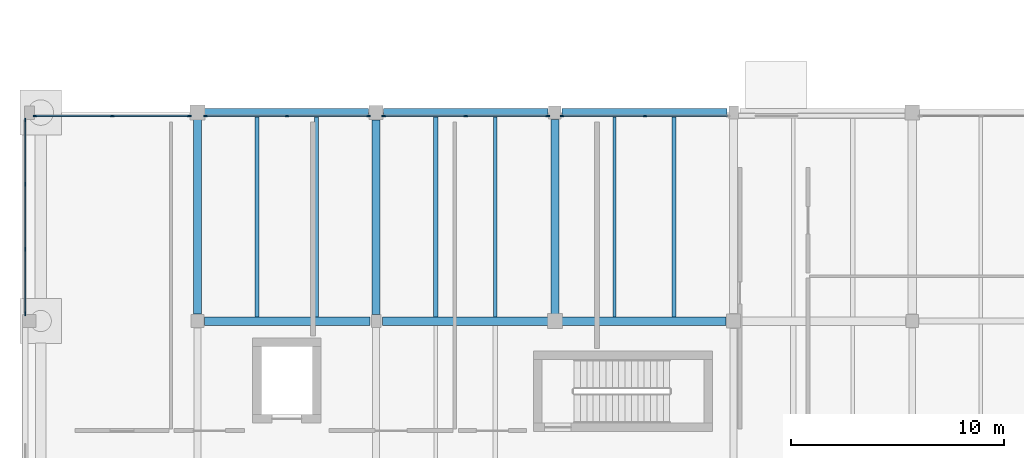
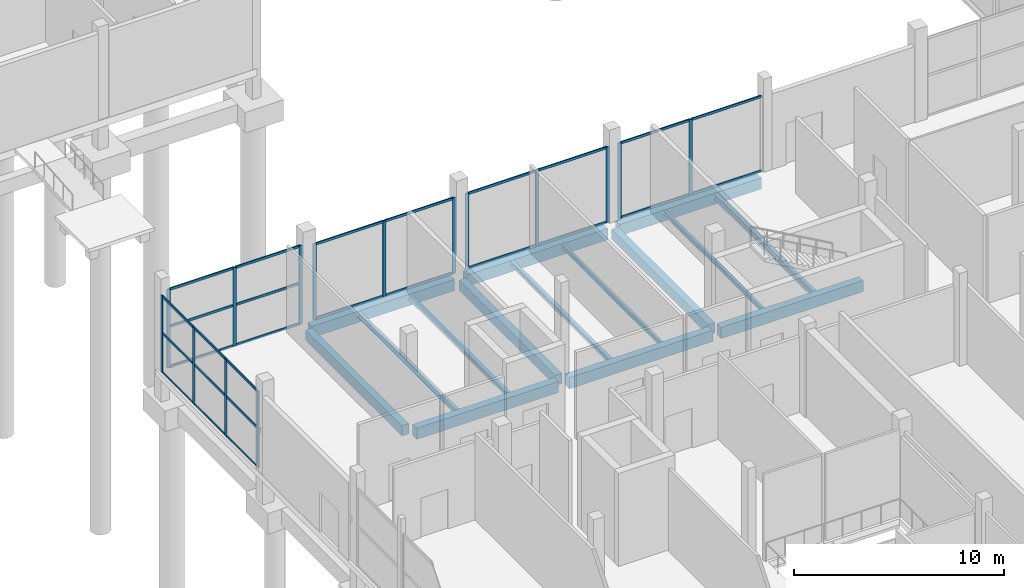
# One storey, part 21 of 88: 42 members, 15 beams, 5 elements without a shape of their own.
"""IFC4 building model written with IfcOpenShell, lengths in metres."""

from ifc_helpers import new_model, si_unit, direction, frame, origin, origin_2d, place, context, subcontext, project, spatial, rectangle, i_section, extrude, material, layer, layer_set, material_profile, profile_set, type_object, element, aggregate, save


model = new_model("IFC4")

# Units and contexts
model_context = context("Model", 3, precision=1e-05, world=origin(), true_north=direction((0.0, 1.0)))
body_context = subcontext(model_context, "Body", "Model", "MODEL_VIEW")
ifc_project = project(units=[si_unit("LENGTHUNIT", "METRE"), si_unit("AREAUNIT", "SQUARE_METRE"), si_unit("VOLUMEUNIT", "CUBIC_METRE"), si_unit("PLANEANGLEUNIT", "RADIAN"), si_unit("MASSUNIT", "GRAM", prefix="KILO")], contexts=[model_context])

# Site, building, storey
site_placement = place(None, origin())
site = spatial("IfcSite", under=ifc_project, at=site_placement, CompositionType="ELEMENT")
building_placement = place(site_placement, origin())
building = spatial("IfcBuilding", under=site, at=building_placement, Name="Birchvale Park Specialist Clinic", CompositionType="ELEMENT")
storey_placement = place(building_placement, origin())
storey = spatial("IfcBuildingStorey", under=building, at=storey_placement, Name="L00", CompositionType="ELEMENT", Elevation=0.0)

# Beams
ifc_material_1 = material(Name="Concrete C40/50", Category="concrete")
ifc_material_profile_1 = material_profile(ifc_material_1, rectangle(XDim=0.39990234375, YDim=0.64990234375, at=origin_2d()), Name="RCB-400x650")
ifc_profile_set_1 = profile_set([ifc_material_profile_1], Name="Concrete C40/50")
beam_type_1 = type_object("IfcBeamType", Name="BM-INT-BG4", PredefinedType="BEAM", material=ifc_profile_set_1)
beam_1_placement = place(storey_placement, frame((11.52490234375, 34.60009765625, -0.675048828125), z_axis=(1.0, 0.0, 0.0), x_axis=(0.0, 1.0, 0.0)))
element("IfcBeam", 1, at=beam_1_placement, inside=storey, type_object=beam_type_1, Name="V2 L00 X girder 16", PredefinedType="BEAM", context=body_context, shape_type="SweptSolid", body=[
    extrude(rectangle(XDim=0.39990234375, YDim=0.64990234375, at=origin_2d()), origin(), (0.0, 0.0, 1.0), 7.775146484375),
])
beam_2_placement = place(storey_placement, frame((19.89990234375, 34.60009765625, -0.675048828125), z_axis=(1.0, 0.0, 0.0), x_axis=(0.0, 1.0, 0.0)))
element("IfcBeam", 2, at=beam_2_placement, inside=storey, type_object=beam_type_1, Name="V2 L00 X girder 17", PredefinedType="BEAM", context=body_context, shape_type="SweptSolid", body=[
    extrude(rectangle(XDim=0.39990234375, YDim=0.64990234375, at=origin_2d()), origin(), (0.0, 0.0, 1.0), 7.875),
])
for number, where, z_axis, x_axis, name in (
    (3, (28.22509765625, 34.60009765625, -0.675048828125), (1.0, 0.0, 0.0), (0.0, 1.0, 0.0), "V2 L00 X girder 18"),
    (4, (11.425048828125, 44.39990234375, -0.675048828125), (1.0, 0.0, 0.0), (0.0, 1.0, 0.0), "V2 L00 X girder 21"),
):
    element("IfcBeam", number, at=place(storey_placement, frame(where, z_axis=z_axis, x_axis=x_axis)), inside=storey, type_object=beam_type_1, Name=name, PredefinedType="BEAM", context=body_context, shape_type="SweptSolid", body=[
        extrude(rectangle(XDim=0.39990234375, YDim=0.64990234375, at=origin_2d()), origin(), (0.0, 0.0, 1.0), 7.824951171875),
    ])
beam_3_placement = place(storey_placement, frame((19.949951171875, 44.39990234375, -0.675048828125), z_axis=(1.0, 0.0, 0.0), x_axis=(0.0, 1.0, 0.0)))
element("IfcBeam", 5, at=beam_3_placement, inside=storey, type_object=beam_type_1, Name="V2 L00 X girder 22", PredefinedType="BEAM", context=body_context, shape_type="SweptSolid", body=[
    extrude(rectangle(XDim=0.39990234375, YDim=0.64990234375, at=origin_2d()), origin(), (0.0, 0.0, 1.0), 7.72509765625),
])
beam_4_placement = place(storey_placement, frame((28.324951171875, 44.39990234375, -0.675048828125), z_axis=(1.0, 0.0, 0.0), x_axis=(0.0, 1.0, 0.0)))
element("IfcBeam", 6, at=beam_4_placement, inside=storey, type_object=beam_type_1, Name="V2 L00 X girder 23", PredefinedType="BEAM", context=body_context, shape_type="SweptSolid", body=[
    extrude(rectangle(XDim=0.39990234375, YDim=0.64990234375, at=origin_2d()), origin(), (0.0, 0.0, 1.0), 7.775146484375),
])
ifc_material_profile_2 = material_profile(ifc_material_1, rectangle(XDim=0.3798828125, YDim=0.60009765625, at=origin_2d()), Name="RCB-380x600")
ifc_profile_set_2 = profile_set([ifc_material_profile_2], Name="Concrete C40/50")
beam_type_2 = type_object("IfcBeamType", Name="BM-INT-BG5", PredefinedType="BEAM", material=ifc_profile_set_2)
beam_5_placement = place(storey_placement, frame((11.199951171875, 34.925048828125, -0.64990234375), z_axis=(0.0, 1.0, 0.0), x_axis=(-1.0, 0.0, 0.0)))
element("IfcBeam", 7, at=beam_5_placement, inside=storey, type_object=beam_type_2, Name="V2 L00 Y girder 29", PredefinedType="BEAM", context=body_context, shape_type="SweptSolid", body=[
    extrude(rectangle(XDim=0.3798828125, YDim=0.60009765625, at=origin_2d()), origin(), (0.0, 0.0, 1.0), 9.175048828125),
])
beam_6_placement = place(storey_placement, frame((19.60009765625, 34.89990234375, -0.64990234375), z_axis=(0.0, 1.0, 0.0), x_axis=(-1.0, 0.0, 0.0)))
element("IfcBeam", 8, at=beam_6_placement, inside=storey, type_object=beam_type_2, Name="V2 L00 Y girder 33", PredefinedType="BEAM", context=body_context, shape_type="SweptSolid", body=[
    extrude(rectangle(XDim=0.3798828125, YDim=0.60009765625, at=origin_2d()), origin(), (0.0, 0.0, 1.0), 9.150146484375),
])
beam_7_placement = place(storey_placement, frame((28.0, 34.89990234375, -0.64990234375), z_axis=(0.0, 1.0, 0.0), x_axis=(-1.0, 0.0, 0.0)))
element("IfcBeam", 9, at=beam_7_placement, inside=storey, type_object=beam_type_2, Name="V2 L00 Y girder 36", PredefinedType="BEAM", context=body_context, shape_type="SweptSolid", body=[
    extrude(rectangle(XDim=0.3798828125, YDim=0.60009765625, at=origin_2d()), origin(), (0.0, 0.0, 1.0), 9.175048828125),
])

# Curtain wall, members
ifc_material_2 = material(Name="Thermally broken anodised aluminium", Category="aluminium")
ifc_layer = layer(ifc_material_2, 0.195068359375)
ifc_layer_set = layer_set([ifc_layer], Name="Thermally broken anodised aluminium")
curtain_wall_type = type_object("IfcCurtainWallType", Name="CW-U2", PredefinedType="USERDEFINED", material=ifc_layer_set)
curtain_wall_1_placement = place(storey_placement, origin())
curtain_wall_1 = element("IfcCurtainWall", 10, at=curtain_wall_1_placement, inside=storey, type_object=curtain_wall_type, Name="V2 L00 glazed curtain wall 15", ObjectType="UNITISED", PredefinedType="USERDEFINED")
ifc_material_profile_3 = material_profile(ifc_material_2, rectangle(XDim=0.06494140625, YDim=0.179931640625, at=origin_2d()), Name="CWM-65x180")
ifc_profile_set_3 = profile_set([ifc_material_profile_3], Name="Thermally broken anodised aluminium")
member_type_1 = type_object("IfcMemberType", Name="CWM2", PredefinedType="MULLION", material=ifc_profile_set_3)
member_1_placement = place(storey_placement, frame((32.237548828125, 44.2451171875, 0.0), z_axis=(0.0, 0.0, 1.0), x_axis=(0.0, -1.0, 0.0)))
member_1 = element("IfcMember", 11, at=member_1_placement, type_object=member_type_1, Name="CW mullion 2", PredefinedType="MULLION", context=body_context, shape_type="SweptSolid", body=[
    extrude(rectangle(XDim=0.06494140625, YDim=0.179931640625, at=origin_2d()), origin(), (0.0, 0.0, 1.0), 4.385009765625),
])
member_2_placement = place(storey_placement, frame((28.33251953125, 44.2451171875, 0.0), z_axis=(0.0, 0.0, 1.0), x_axis=(0.0, -1.0, 0.0)))
member_2 = element("IfcMember", 12, at=member_2_placement, type_object=member_type_1, Name="CW mullion 3", PredefinedType="MULLION", context=body_context, shape_type="SweptSolid", body=[
    extrude(rectangle(XDim=0.06494140625, YDim=0.179931640625, at=origin_2d()), origin(), (0.0, 0.0, 1.0), 4.385009765625),
])

curtain_wall_2_placement = place(storey_placement, origin())
curtain_wall_2 = element("IfcCurtainWall", 13, at=curtain_wall_2_placement, inside=storey, type_object=curtain_wall_type, Name="V2 L00 glazed curtain wall 16", ObjectType="UNITISED", PredefinedType="USERDEFINED")
member_3_placement = place(storey_placement, frame((27.66748046875, 44.2451171875, 0.0), z_axis=(0.0, 0.0, 1.0), x_axis=(0.0, -1.0, 0.0)))
member_3 = element("IfcMember", 14, at=member_3_placement, type_object=member_type_1, Name="CW mullion 1", PredefinedType="MULLION", context=body_context, shape_type="SweptSolid", body=[
    extrude(rectangle(XDim=0.06494140625, YDim=0.179931640625, at=origin_2d()), origin(), (0.0, 0.0, 1.0), 4.385009765625),
])
member_4_placement = place(storey_placement, frame((23.8125, 44.2451171875, 0.0), z_axis=(0.0, 0.0, 1.0), x_axis=(0.0, -1.0, 0.0)))
member_4 = element("IfcMember", 15, at=member_4_placement, type_object=member_type_1, Name="CW mullion 2", PredefinedType="MULLION", context=body_context, shape_type="SweptSolid", body=[
    extrude(rectangle(XDim=0.06494140625, YDim=0.179931640625, at=origin_2d()), origin(), (0.0, 0.0, 1.0), 4.385009765625),
])
member_5_placement = place(storey_placement, frame((19.95751953125, 44.2451171875, 0.0), z_axis=(0.0, 0.0, 1.0), x_axis=(0.0, -1.0, 0.0)))
member_5 = element("IfcMember", 16, at=member_5_placement, type_object=member_type_1, Name="CW mullion 3", PredefinedType="MULLION", context=body_context, shape_type="SweptSolid", body=[
    extrude(rectangle(XDim=0.06494140625, YDim=0.179931640625, at=origin_2d()), origin(), (0.0, 0.0, 1.0), 4.385009765625),
])

curtain_wall_3_placement = place(storey_placement, origin())
curtain_wall_3 = element("IfcCurtainWall", 17, at=curtain_wall_3_placement, inside=storey, type_object=curtain_wall_type, Name="V2 L00 glazed curtain wall 17", ObjectType="UNITISED", PredefinedType="USERDEFINED")
member_6_placement = place(storey_placement, frame((19.242431640625, 44.2451171875, 0.0), z_axis=(0.0, 0.0, 1.0), x_axis=(0.0, -1.0, 0.0)))
member_6 = element("IfcMember", 18, at=member_6_placement, type_object=member_type_1, Name="CW mullion 1", PredefinedType="MULLION", context=body_context, shape_type="SweptSolid", body=[
    extrude(rectangle(XDim=0.06494140625, YDim=0.179931640625, at=origin_2d()), origin(), (0.0, 0.0, 1.0), 4.385009765625),
])
member_7_placement = place(storey_placement, frame((15.41259765625, 44.2451171875, 0.0), z_axis=(0.0, 0.0, 1.0), x_axis=(0.0, -1.0, 0.0)))
member_7 = element("IfcMember", 19, at=member_7_placement, type_object=member_type_1, Name="CW mullion 2", PredefinedType="MULLION", context=body_context, shape_type="SweptSolid", body=[
    extrude(rectangle(XDim=0.06494140625, YDim=0.179931640625, at=origin_2d()), origin(), (0.0, 0.0, 1.0), 4.385009765625),
])
member_8_placement = place(storey_placement, frame((11.58251953125, 44.2451171875, 0.0), z_axis=(0.0, 0.0, 1.0), x_axis=(0.0, -1.0, 0.0)))
member_8 = element("IfcMember", 20, at=member_8_placement, type_object=member_type_1, Name="CW mullion 3", PredefinedType="MULLION", context=body_context, shape_type="SweptSolid", body=[
    extrude(rectangle(XDim=0.06494140625, YDim=0.179931640625, at=origin_2d()), origin(), (0.0, 0.0, 1.0), 4.385009765625),
])

curtain_wall_4_placement = place(storey_placement, origin())
curtain_wall_4 = element("IfcCurtainWall", 21, at=curtain_wall_4_placement, inside=storey, type_object=curtain_wall_type, Name="V2 L00 glazed curtain wall 18", ObjectType="UNITISED", PredefinedType="USERDEFINED")
member_9_placement = place(storey_placement, frame((10.8173828125, 44.2451171875, 0.0), z_axis=(0.0, 0.0, 1.0), x_axis=(0.0, -1.0, 0.0)))
member_9 = element("IfcMember", 22, at=member_9_placement, type_object=member_type_1, Name="CW mullion 1", PredefinedType="MULLION", context=body_context, shape_type="SweptSolid", body=[
    extrude(rectangle(XDim=0.06494140625, YDim=0.179931640625, at=origin_2d()), origin(), (0.0, 0.0, 1.0), 4.56005859375),
])
member_10_placement = place(storey_placement, frame((7.1923828125, 44.2451171875, 0.0), z_axis=(0.0, 0.0, 1.0), x_axis=(0.0, -1.0, 0.0)))
member_10 = element("IfcMember", 23, at=member_10_placement, type_object=member_type_1, Name="CW mullion 2", PredefinedType="MULLION", context=body_context, shape_type="SweptSolid", body=[
    extrude(rectangle(XDim=0.06494140625, YDim=0.179931640625, at=origin_2d()), origin(), (0.0, 0.0, 1.0), 4.56005859375),
])
member_11_placement = place(storey_placement, frame((3.5673828125, 44.2451171875, 0.0), z_axis=(0.0, 0.0, 1.0), x_axis=(0.0, -1.0, 0.0)))
member_11 = element("IfcMember", 24, at=member_11_placement, type_object=member_type_1, Name="CW mullion 3", PredefinedType="MULLION", context=body_context, shape_type="SweptSolid", body=[
    extrude(rectangle(XDim=0.06494140625, YDim=0.179931640625, at=origin_2d()), origin(), (0.0, 0.0, 1.0), 4.56005859375),
])

curtain_wall_5_placement = place(storey_placement, origin())
curtain_wall_5 = element("IfcCurtainWall", 25, at=curtain_wall_5_placement, inside=storey, type_object=curtain_wall_type, Name="V2 L00 glazed curtain wall 19", ObjectType="UNITISED", PredefinedType="USERDEFINED")
member_12_placement = place(storey_placement, frame((3.10498046875, 44.052490234375, 0.0), z_axis=(0.0, 0.0, 1.0), x_axis=(1.0, 0.0, 0.0)))
member_12 = element("IfcMember", 26, at=member_12_placement, type_object=member_type_1, Name="CW mullion 1", PredefinedType="MULLION", context=body_context, shape_type="SweptSolid", body=[
    extrude(rectangle(XDim=0.06494140625, YDim=0.179931640625, at=origin_2d()), origin(), (0.0, 0.0, 1.0), 4.469970703125),
])
member_13_placement = place(storey_placement, frame((3.10498046875, 41.0283203125, 0.0), z_axis=(0.0, 0.0, 1.0), x_axis=(1.0, 0.0, 0.0)))
member_13 = element("IfcMember", 27, at=member_13_placement, type_object=member_type_1, Name="CW mullion 2", PredefinedType="MULLION", context=body_context, shape_type="SweptSolid", body=[
    extrude(rectangle(XDim=0.06494140625, YDim=0.179931640625, at=origin_2d()), origin(), (0.0, 0.0, 1.0), 4.469970703125),
])
member_14_placement = place(storey_placement, frame((3.10498046875, 37.9716796875, 0.0), z_axis=(0.0, 0.0, 1.0), x_axis=(1.0, 0.0, 0.0)))
member_14 = element("IfcMember", 28, at=member_14_placement, type_object=member_type_1, Name="CW mullion 3", PredefinedType="MULLION", context=body_context, shape_type="SweptSolid", body=[
    extrude(rectangle(XDim=0.06494140625, YDim=0.179931640625, at=origin_2d()), origin(), (0.0, 0.0, 1.0), 4.469970703125),
])
member_15_placement = place(storey_placement, frame((3.10498046875, 34.947509765625, 0.0), z_axis=(0.0, 0.0, 1.0), x_axis=(1.0, 0.0, 0.0)))
member_15 = element("IfcMember", 29, at=member_15_placement, type_object=member_type_1, Name="CW mullion 4", PredefinedType="MULLION", context=body_context, shape_type="SweptSolid", body=[
    extrude(rectangle(XDim=0.06494140625, YDim=0.179931640625, at=origin_2d()), origin(), (0.0, 0.0, 1.0), 4.469970703125),
])

# Member
ifc_material_profile_4 = material_profile(ifc_material_2, rectangle(XDim=0.06494140625, YDim=0.139892578125, at=origin_2d()), Name="CWT-65x140")
ifc_profile_set_4 = profile_set([ifc_material_profile_4], Name="Thermally broken anodised aluminium")
member_type_2 = type_object("IfcMemberType", Name="CWT2", PredefinedType="USERDEFINED", material=ifc_profile_set_4)
member_16_placement = place(storey_placement, frame((36.110107421875, 44.2451171875, 0.032470703125), z_axis=(-1.0, 0.0, 0.0), x_axis=(0.0, -1.0, 0.0)))
member_16 = element("IfcMember", 30, at=member_16_placement, type_object=member_type_2, Name="CW transom 1.1", ObjectType="TRANSOM", PredefinedType="USERDEFINED", context=body_context, shape_type="SweptSolid", body=[
    extrude(rectangle(XDim=0.06494140625, YDim=0.139892578125, at=origin_2d()), origin(), (0.0, 0.0, 1.0), 3.840087890625),
])

member_17_placement = place(storey_placement, frame((36.110107421875, 44.2451171875, 4.3525390625), z_axis=(-1.0, 0.0, 0.0), x_axis=(0.0, -1.0, 0.0)))
member_17 = element("IfcMember", 31, at=member_17_placement, type_object=member_type_2, Name="CW transom 1.2", ObjectType="TRANSOM", PredefinedType="USERDEFINED", context=body_context, shape_type="SweptSolid", body=[
    extrude(rectangle(XDim=0.06494140625, YDim=0.139892578125, at=origin_2d()), origin(), (0.0, 0.0, 1.0), 3.840087890625),
])

member_18_placement = place(storey_placement, frame((32.205078125, 44.2451171875, 0.032470703125), z_axis=(-1.0, 0.0, 0.0), x_axis=(0.0, -1.0, 0.0)))
member_18 = element("IfcMember", 32, at=member_18_placement, type_object=member_type_2, Name="CW transom 2.1", ObjectType="TRANSOM", PredefinedType="USERDEFINED", context=body_context, shape_type="SweptSolid", body=[
    extrude(rectangle(XDim=0.06494140625, YDim=0.139892578125, at=origin_2d()), origin(), (0.0, 0.0, 1.0), 3.840087890625),
])

member_19_placement = place(storey_placement, frame((32.205078125, 44.2451171875, 4.3525390625), z_axis=(-1.0, 0.0, 0.0), x_axis=(0.0, -1.0, 0.0)))
member_19 = element("IfcMember", 33, at=member_19_placement, type_object=member_type_2, Name="CW transom 2.2", ObjectType="TRANSOM", PredefinedType="USERDEFINED", context=body_context, shape_type="SweptSolid", body=[
    extrude(rectangle(XDim=0.06494140625, YDim=0.139892578125, at=origin_2d()), origin(), (0.0, 0.0, 1.0), 3.840087890625),
])

aggregate(curtain_wall_1, [member_1, member_2, member_16, member_17, member_18, member_19])

member_20_placement = place(storey_placement, frame((27.635009765625, 44.2451171875, 0.032470703125), z_axis=(-1.0, 0.0, 0.0), x_axis=(0.0, -1.0, 0.0)))
member_20 = element("IfcMember", 34, at=member_20_placement, type_object=member_type_2, Name="CW transom 1.1", ObjectType="TRANSOM", PredefinedType="USERDEFINED", context=body_context, shape_type="SweptSolid", body=[
    extrude(rectangle(XDim=0.06494140625, YDim=0.139892578125, at=origin_2d()), origin(), (0.0, 0.0, 1.0), 3.7900390625),
])

member_21_placement = place(storey_placement, frame((27.635009765625, 44.2451171875, 4.3525390625), z_axis=(-1.0, 0.0, 0.0), x_axis=(0.0, -1.0, 0.0)))
member_21 = element("IfcMember", 35, at=member_21_placement, type_object=member_type_2, Name="CW transom 1.2", ObjectType="TRANSOM", PredefinedType="USERDEFINED", context=body_context, shape_type="SweptSolid", body=[
    extrude(rectangle(XDim=0.06494140625, YDim=0.139892578125, at=origin_2d()), origin(), (0.0, 0.0, 1.0), 3.7900390625),
])

member_22_placement = place(storey_placement, frame((23.780029296875, 44.2451171875, 0.032470703125), z_axis=(-1.0, 0.0, 0.0), x_axis=(0.0, -1.0, 0.0)))
member_22 = element("IfcMember", 36, at=member_22_placement, type_object=member_type_2, Name="CW transom 2.1", ObjectType="TRANSOM", PredefinedType="USERDEFINED", context=body_context, shape_type="SweptSolid", body=[
    extrude(rectangle(XDim=0.06494140625, YDim=0.139892578125, at=origin_2d()), origin(), (0.0, 0.0, 1.0), 3.7900390625),
])

member_23_placement = place(storey_placement, frame((23.780029296875, 44.2451171875, 4.3525390625), z_axis=(-1.0, 0.0, 0.0), x_axis=(0.0, -1.0, 0.0)))
member_23 = element("IfcMember", 37, at=member_23_placement, type_object=member_type_2, Name="CW transom 2.2", ObjectType="TRANSOM", PredefinedType="USERDEFINED", context=body_context, shape_type="SweptSolid", body=[
    extrude(rectangle(XDim=0.06494140625, YDim=0.139892578125, at=origin_2d()), origin(), (0.0, 0.0, 1.0), 3.7900390625),
])

aggregate(curtain_wall_2, [member_3, member_4, member_5, member_20, member_21, member_22, member_23])

member_24_placement = place(storey_placement, frame((19.2099609375, 44.2451171875, 0.032470703125), z_axis=(-1.0, 0.0, 0.0), x_axis=(0.0, -1.0, 0.0)))
member_24 = element("IfcMember", 38, at=member_24_placement, type_object=member_type_2, Name="CW transom 1.1", ObjectType="TRANSOM", PredefinedType="USERDEFINED", context=body_context, shape_type="SweptSolid", body=[
    extrude(rectangle(XDim=0.06494140625, YDim=0.139892578125, at=origin_2d()), origin(), (0.0, 0.0, 1.0), 3.764892578125),
])

member_25_placement = place(storey_placement, frame((19.2099609375, 44.2451171875, 4.3525390625), z_axis=(-1.0, 0.0, 0.0), x_axis=(0.0, -1.0, 0.0)))
member_25 = element("IfcMember", 39, at=member_25_placement, type_object=member_type_2, Name="CW transom 1.2", ObjectType="TRANSOM", PredefinedType="USERDEFINED", context=body_context, shape_type="SweptSolid", body=[
    extrude(rectangle(XDim=0.06494140625, YDim=0.139892578125, at=origin_2d()), origin(), (0.0, 0.0, 1.0), 3.764892578125),
])

member_26_placement = place(storey_placement, frame((15.3798828125, 44.2451171875, 0.032470703125), z_axis=(-1.0, 0.0, 0.0), x_axis=(0.0, -1.0, 0.0)))
member_26 = element("IfcMember", 40, at=member_26_placement, type_object=member_type_2, Name="CW transom 2.1", ObjectType="TRANSOM", PredefinedType="USERDEFINED", context=body_context, shape_type="SweptSolid", body=[
    extrude(rectangle(XDim=0.06494140625, YDim=0.139892578125, at=origin_2d()), origin(), (0.0, 0.0, 1.0), 3.764892578125),
])

member_27_placement = place(storey_placement, frame((15.3798828125, 44.2451171875, 4.3525390625), z_axis=(-1.0, 0.0, 0.0), x_axis=(0.0, -1.0, 0.0)))
member_27 = element("IfcMember", 41, at=member_27_placement, type_object=member_type_2, Name="CW transom 2.2", ObjectType="TRANSOM", PredefinedType="USERDEFINED", context=body_context, shape_type="SweptSolid", body=[
    extrude(rectangle(XDim=0.06494140625, YDim=0.139892578125, at=origin_2d()), origin(), (0.0, 0.0, 1.0), 3.764892578125),
])

aggregate(curtain_wall_3, [member_6, member_7, member_8, member_24, member_25, member_26, member_27])

member_28_placement = place(storey_placement, frame((10.784912109375, 44.2451171875, 0.032470703125), z_axis=(-1.0, 0.0, 0.0), x_axis=(0.0, -1.0, 0.0)))
member_28 = element("IfcMember", 42, at=member_28_placement, type_object=member_type_2, Name="CW transom 1.1", ObjectType="TRANSOM", PredefinedType="USERDEFINED", context=body_context, shape_type="SweptSolid", body=[
    extrude(rectangle(XDim=0.06494140625, YDim=0.139892578125, at=origin_2d()), origin(), (0.0, 0.0, 1.0), 3.559814453125),
])

member_29_placement = place(storey_placement, frame((10.784912109375, 44.2451171875, 2.37109375), z_axis=(-1.0, 0.0, 0.0), x_axis=(0.0, -1.0, 0.0)))
member_29 = element("IfcMember", 43, at=member_29_placement, type_object=member_type_2, Name="CW transom 1.2", ObjectType="TRANSOM", PredefinedType="USERDEFINED", context=body_context, shape_type="SweptSolid", body=[
    extrude(rectangle(XDim=0.06494140625, YDim=0.139892578125, at=origin_2d()), origin(), (0.0, 0.0, 1.0), 3.559814453125),
])

member_30_placement = place(storey_placement, frame((10.784912109375, 44.2451171875, 4.527587890625), z_axis=(-1.0, 0.0, 0.0), x_axis=(0.0, -1.0, 0.0)))
member_30 = element("IfcMember", 44, at=member_30_placement, type_object=member_type_2, Name="CW transom 1.3", ObjectType="TRANSOM", PredefinedType="USERDEFINED", context=body_context, shape_type="SweptSolid", body=[
    extrude(rectangle(XDim=0.06494140625, YDim=0.139892578125, at=origin_2d()), origin(), (0.0, 0.0, 1.0), 3.559814453125),
])

member_31_placement = place(storey_placement, frame((7.159912109375, 44.2451171875, 0.032470703125), z_axis=(-1.0, 0.0, 0.0), x_axis=(0.0, -1.0, 0.0)))
member_31 = element("IfcMember", 45, at=member_31_placement, type_object=member_type_2, Name="CW transom 2.1", ObjectType="TRANSOM", PredefinedType="USERDEFINED", context=body_context, shape_type="SweptSolid", body=[
    extrude(rectangle(XDim=0.06494140625, YDim=0.139892578125, at=origin_2d()), origin(), (0.0, 0.0, 1.0), 3.559814453125),
])

member_32_placement = place(storey_placement, frame((7.159912109375, 44.2451171875, 2.37109375), z_axis=(-1.0, 0.0, 0.0), x_axis=(0.0, -1.0, 0.0)))
member_32 = element("IfcMember", 46, at=member_32_placement, type_object=member_type_2, Name="CW transom 2.2", ObjectType="TRANSOM", PredefinedType="USERDEFINED", context=body_context, shape_type="SweptSolid", body=[
    extrude(rectangle(XDim=0.06494140625, YDim=0.139892578125, at=origin_2d()), origin(), (0.0, 0.0, 1.0), 3.559814453125),
])

member_33_placement = place(storey_placement, frame((7.159912109375, 44.2451171875, 4.527587890625), z_axis=(-1.0, 0.0, 0.0), x_axis=(0.0, -1.0, 0.0)))
member_33 = element("IfcMember", 47, at=member_33_placement, type_object=member_type_2, Name="CW transom 2.3", ObjectType="TRANSOM", PredefinedType="USERDEFINED", context=body_context, shape_type="SweptSolid", body=[
    extrude(rectangle(XDim=0.06494140625, YDim=0.139892578125, at=origin_2d()), origin(), (0.0, 0.0, 1.0), 3.559814453125),
])

aggregate(curtain_wall_4, [member_9, member_10, member_11, member_28, member_29, member_30, member_31, member_32, member_33])

member_34_placement = place(storey_placement, frame((3.10498046875, 44.02001953125, 0.032470703125), z_axis=(0.0, -1.0, 0.0), x_axis=(1.0, 0.0, 0.0)))
member_34 = element("IfcMember", 48, at=member_34_placement, type_object=member_type_2, Name="CW transom 1.1", ObjectType="TRANSOM", PredefinedType="USERDEFINED", context=body_context, shape_type="SweptSolid", body=[
    extrude(rectangle(XDim=0.06494140625, YDim=0.139892578125, at=origin_2d()), origin(), (0.0, 0.0, 1.0), 2.959228515625),
])

member_35_placement = place(storey_placement, frame((3.10498046875, 44.02001953125, 2.324462890625), z_axis=(0.0, -1.0, 0.0), x_axis=(1.0, 0.0, 0.0)))
member_35 = element("IfcMember", 49, at=member_35_placement, type_object=member_type_2, Name="CW transom 1.2", ObjectType="TRANSOM", PredefinedType="USERDEFINED", context=body_context, shape_type="SweptSolid", body=[
    extrude(rectangle(XDim=0.06494140625, YDim=0.139892578125, at=origin_2d()), origin(), (0.0, 0.0, 1.0), 2.959228515625),
])

member_36_placement = place(storey_placement, frame((3.10498046875, 44.02001953125, 4.4375), z_axis=(0.0, -1.0, 0.0), x_axis=(1.0, 0.0, 0.0)))
member_36 = element("IfcMember", 50, at=member_36_placement, type_object=member_type_2, Name="CW transom 1.3", ObjectType="TRANSOM", PredefinedType="USERDEFINED", context=body_context, shape_type="SweptSolid", body=[
    extrude(rectangle(XDim=0.06494140625, YDim=0.139892578125, at=origin_2d()), origin(), (0.0, 0.0, 1.0), 2.959228515625),
])

member_37_placement = place(storey_placement, frame((3.10498046875, 40.995849609375, 0.032470703125), z_axis=(0.0, -1.0, 0.0), x_axis=(1.0, 0.0, 0.0)))
member_37 = element("IfcMember", 51, at=member_37_placement, type_object=member_type_2, Name="CW transom 2.1", ObjectType="TRANSOM", PredefinedType="USERDEFINED", context=body_context, shape_type="SweptSolid", body=[
    extrude(rectangle(XDim=0.06494140625, YDim=0.139892578125, at=origin_2d()), origin(), (0.0, 0.0, 1.0), 2.99169921875),
])

member_38_placement = place(storey_placement, frame((3.10498046875, 40.995849609375, 2.324462890625), z_axis=(0.0, -1.0, 0.0), x_axis=(1.0, 0.0, 0.0)))
member_38 = element("IfcMember", 52, at=member_38_placement, type_object=member_type_2, Name="CW transom 2.2", ObjectType="TRANSOM", PredefinedType="USERDEFINED", context=body_context, shape_type="SweptSolid", body=[
    extrude(rectangle(XDim=0.06494140625, YDim=0.139892578125, at=origin_2d()), origin(), (0.0, 0.0, 1.0), 2.99169921875),
])

member_39_placement = place(storey_placement, frame((3.10498046875, 40.995849609375, 4.4375), z_axis=(0.0, -1.0, 0.0), x_axis=(1.0, 0.0, 0.0)))
member_39 = element("IfcMember", 53, at=member_39_placement, type_object=member_type_2, Name="CW transom 2.3", ObjectType="TRANSOM", PredefinedType="USERDEFINED", context=body_context, shape_type="SweptSolid", body=[
    extrude(rectangle(XDim=0.06494140625, YDim=0.139892578125, at=origin_2d()), origin(), (0.0, 0.0, 1.0), 2.99169921875),
])

member_40_placement = place(storey_placement, frame((3.10498046875, 37.939208984375, 0.032470703125), z_axis=(0.0, -1.0, 0.0), x_axis=(1.0, 0.0, 0.0)))
member_40 = element("IfcMember", 54, at=member_40_placement, type_object=member_type_2, Name="CW transom 3.1", ObjectType="TRANSOM", PredefinedType="USERDEFINED", context=body_context, shape_type="SweptSolid", body=[
    extrude(rectangle(XDim=0.06494140625, YDim=0.139892578125, at=origin_2d()), origin(), (0.0, 0.0, 1.0), 2.959228515625),
])

member_41_placement = place(storey_placement, frame((3.10498046875, 37.939208984375, 2.324462890625), z_axis=(0.0, -1.0, 0.0), x_axis=(1.0, 0.0, 0.0)))
member_41 = element("IfcMember", 55, at=member_41_placement, type_object=member_type_2, Name="CW transom 3.2", ObjectType="TRANSOM", PredefinedType="USERDEFINED", context=body_context, shape_type="SweptSolid", body=[
    extrude(rectangle(XDim=0.06494140625, YDim=0.139892578125, at=origin_2d()), origin(), (0.0, 0.0, 1.0), 2.959228515625),
])

member_42_placement = place(storey_placement, frame((3.10498046875, 37.939208984375, 4.4375), z_axis=(0.0, -1.0, 0.0), x_axis=(1.0, 0.0, 0.0)))
member_42 = element("IfcMember", 56, at=member_42_placement, type_object=member_type_2, Name="CW transom 3.3", ObjectType="TRANSOM", PredefinedType="USERDEFINED", context=body_context, shape_type="SweptSolid", body=[
    extrude(rectangle(XDim=0.06494140625, YDim=0.139892578125, at=origin_2d()), origin(), (0.0, 0.0, 1.0), 2.959228515625),
])

aggregate(curtain_wall_5, [member_12, member_13, member_14, member_15, member_34, member_35, member_36, member_37, member_38, member_39, member_40, member_41, member_42])

# Beams
ifc_material_3 = material(Name="Steel ASTM A992 Grade 50", Category="steel")
ifc_material_profile_5 = material_profile(ifc_material_3, i_section(OverallWidth=0.2041015625, OverallDepth=0.35107421875, WebThickness=0.008544921875, FlangeThickness=0.01513671875, at=origin_2d()), Name="W14X48")
ifc_profile_set_5 = profile_set([ifc_material_profile_5], Name="Steel ASTM A992 Grade 50")
beam_type_3 = type_object("IfcBeamType", Name="STL-INT-SJ1", PredefinedType="JOIST", material=ifc_profile_set_5)
beam_8_placement = place(storey_placement, frame((33.60009765625, 34.800048828125, -0.525390625), z_axis=(0.0, 1.0, 0.0), x_axis=(-1.0, 0.0, 0.0)))
element("IfcBeam", 57, at=beam_8_placement, inside=storey, type_object=beam_type_3, Name="V2 L00 secondary floor joist 16", PredefinedType="JOIST", context=body_context, shape_type="SweptSolid", body=[
    extrude(i_section(OverallWidth=0.2041015625, OverallDepth=0.35107421875, WebThickness=0.008544921875, FlangeThickness=0.01513671875, at=origin_2d()), origin(), (0.0, 0.0, 1.0), 9.39990234375),
])
ifc_material_profile_6 = material_profile(ifc_material_3, i_section(OverallWidth=0.1669921875, OverallDepth=0.31689453125, WebThickness=0.007568359375, FlangeThickness=0.01318359375, at=origin_2d()), Name="W12X35")
ifc_profile_set_6 = profile_set([ifc_material_profile_6], Name="Steel ASTM A992 Grade 50")
beam_type_4 = type_object("IfcBeamType", Name="STL-INT-SJ3", PredefinedType="JOIST", material=ifc_profile_set_6)
beam_9_placement = place(storey_placement, frame((14.0, 34.800048828125, -0.508544921875), z_axis=(0.0, 1.0, 0.0), x_axis=(-1.0, 0.0, 0.0)))
element("IfcBeam", 58, at=beam_9_placement, inside=storey, type_object=beam_type_4, Name="V2 L00 secondary floor joist 3", PredefinedType="JOIST", context=body_context, shape_type="SweptSolid", body=[
    extrude(i_section(OverallWidth=0.1669921875, OverallDepth=0.31689453125, WebThickness=0.007568359375, FlangeThickness=0.01318359375, at=origin_2d()), origin(), (0.0, 0.0, 1.0), 9.39990234375),
])
ifc_material_profile_7 = material_profile(ifc_material_3, i_section(OverallWidth=0.202880859375, OverallDepth=0.251953125, WebThickness=0.008056640625, FlangeThickness=0.013427734375, at=origin_2d()), Name="W10X39")
ifc_profile_set_7 = profile_set([ifc_material_profile_7], Name="Steel ASTM A992 Grade 50")
beam_type_5 = type_object("IfcBeamType", Name="STL-INT-SJ4", PredefinedType="JOIST", material=ifc_profile_set_7)
for number, where, z_axis, x_axis, name in (
    (59, (16.800048828125, 34.800048828125, -0.47607421875), (0.0, 1.0, 0.0), (-1.0, 0.0, 0.0), "V2 L00 secondary floor joist 4"),
    (60, (22.39990234375, 34.800048828125, -0.47607421875), (0.0, 1.0, 0.0), (-1.0, 0.0, 0.0), "V2 L00 secondary floor joist 9"),
):
    element("IfcBeam", number, at=place(storey_placement, frame(where, z_axis=z_axis, x_axis=x_axis)), inside=storey, type_object=beam_type_5, Name=name, PredefinedType="JOIST", context=body_context, shape_type="SweptSolid", body=[
        extrude(i_section(OverallWidth=0.202880859375, OverallDepth=0.251953125, WebThickness=0.008056640625, FlangeThickness=0.013427734375, at=origin_2d()), origin(), (0.0, 0.0, 1.0), 9.39990234375),
    ])
ifc_material_profile_8 = material_profile(ifc_material_3, i_section(OverallWidth=0.14697265625, OverallDepth=0.261962890625, WebThickness=0.006591796875, FlangeThickness=0.01123046875, at=origin_2d()), Name="W10X26")
ifc_profile_set_8 = profile_set([ifc_material_profile_8], Name="Steel ASTM A992 Grade 50")
beam_type_6 = type_object("IfcBeamType", Name="STL-INT-SJ5", PredefinedType="JOIST", material=ifc_profile_set_8)
for number, where, z_axis, x_axis, name in (
    (61, (25.199951171875, 34.800048828125, -0.48095703125), (0.0, 1.0, 0.0), (-1.0, 0.0, 0.0), "V2 L00 secondary floor joist 10"),
    (62, (30.800048828125, 34.800048828125, -0.48095703125), (0.0, 1.0, 0.0), (-1.0, 0.0, 0.0), "V2 L00 secondary floor joist 15"),
):
    element("IfcBeam", number, at=place(storey_placement, frame(where, z_axis=z_axis, x_axis=x_axis)), inside=storey, type_object=beam_type_6, Name=name, PredefinedType="JOIST", context=body_context, shape_type="SweptSolid", body=[
        extrude(i_section(OverallWidth=0.14697265625, OverallDepth=0.261962890625, WebThickness=0.006591796875, FlangeThickness=0.01123046875, at=origin_2d()), origin(), (0.0, 0.0, 1.0), 9.39990234375),
    ])

save(model, "model.ifc")
